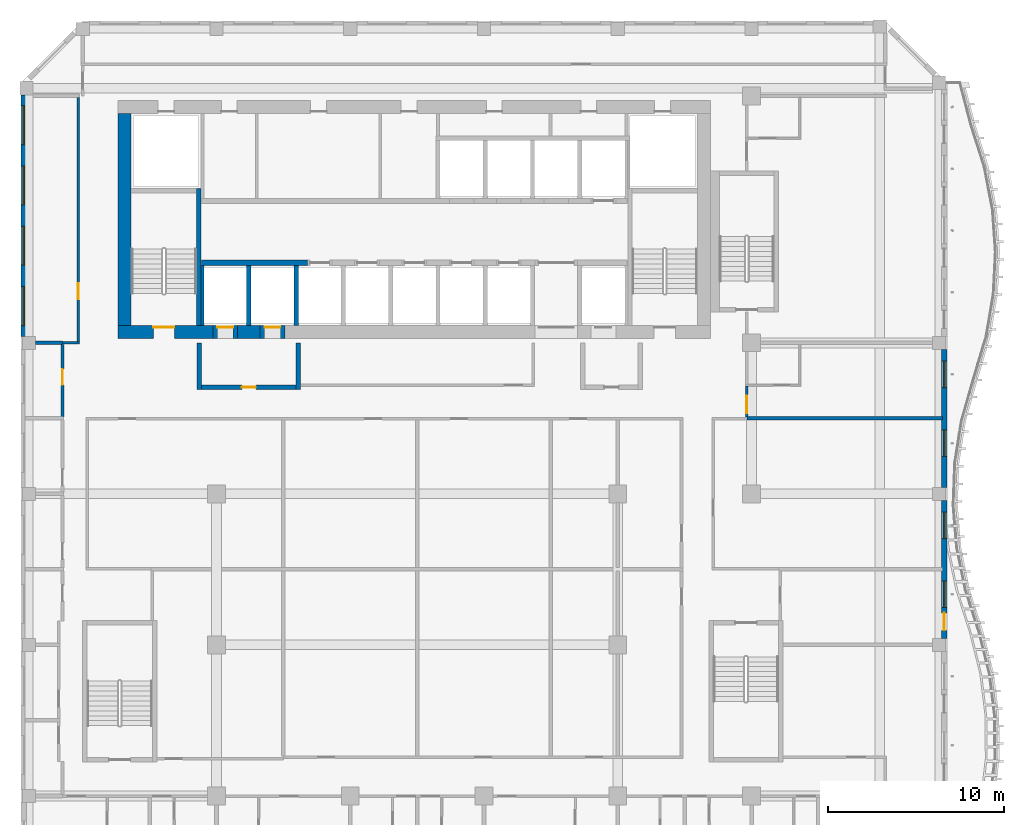
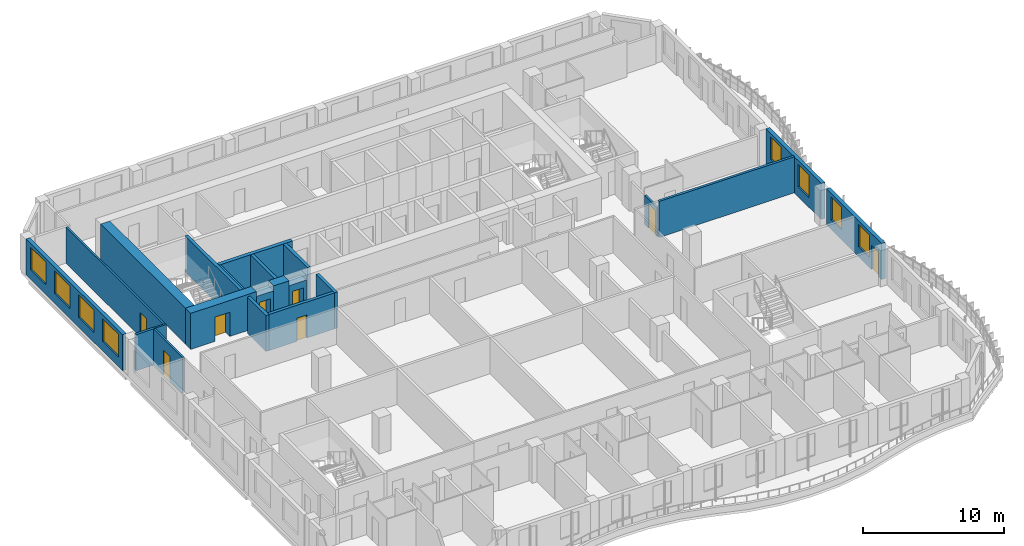
# One storey, part 6 of 21: 22 walls, 8 doors, 8 windows, 16 openings.
"""IFC4 building model written with IfcOpenShell, lengths in metres."""

from ifc_helpers import new_model, si_unit, direction, frame, frame_2d, origin, place, context, subcontext, project, spatial, rectangle, extrude, source, transform, mapped, material, layer, layer_set, type_object, element, fill, save


model = new_model("IFC4")

# Units and contexts
model_context = context("Model", 3, precision=1e-05, world=origin(), true_north=direction((0.0, 1.0)))
body_context = subcontext(model_context, "Body", "Model", "MODEL_VIEW")
ifc_project = project(units=[si_unit("LENGTHUNIT", "METRE"), si_unit("AREAUNIT", "SQUARE_METRE"), si_unit("VOLUMEUNIT", "CUBIC_METRE"), si_unit("PLANEANGLEUNIT", "RADIAN"), si_unit("MASSUNIT", "GRAM", prefix="KILO")], contexts=[model_context])

# Site, building, storey
site_placement = place(None, origin())
site = spatial("IfcSite", under=ifc_project, at=site_placement, CompositionType="ELEMENT")
building_placement = place(site_placement, origin())
building = spatial("IfcBuilding", under=site, at=building_placement, Name="Kilnfold Tower and Market Hall", CompositionType="ELEMENT")
storey_placement = place(building_placement, frame((0.0, 0.0, 216.89990234375)))
storey = spatial("IfcBuildingStorey", under=building, at=storey_placement, Name="L53", CompositionType="ELEMENT", Elevation=216.89990234375)

# Wall
ifc_material_1 = material(Name="Gypsum board on steel studs", Category="steel")
ifc_layer_1 = layer(ifc_material_1, 0.14990234375)
ifc_layer_set_1 = layer_set([ifc_layer_1], Name="Gypsum board on steel studs")
wall_type_1 = type_object("IfcWallType", Name="WALL CORRIDOR 150", PredefinedType="PARTITIONING", material=ifc_layer_set_1)
wall_1_placement = place(storey_placement, frame((-17.925048828125, 8.0, 0.0), z_axis=(0.0, 0.0, 1.0), x_axis=(-1.0, 0.0, 0.0)))
element("IfcWall", 1, at=wall_1_placement, inside=storey, type_object=wall_type_1, Name="Partition LY31.7", PredefinedType="PARTITIONING", context=body_context, shape_type="SweptSolid", body=[
    extrude(rectangle(XDim=0.975830078125, YDim=0.14990234375, at=frame_2d((0.48779296875, 0.0))), origin(), (0.0, 0.0, 1.0), 3.1201171875),
])

# Wall, opening, door
wall_2_placement = place(storey_placement, frame((-18.0, 21.89990234375, 0.0), z_axis=(0.0, 0.0, 1.0), x_axis=(0.0, -1.0, 0.0)))
wall_2 = element("IfcWall", 2, at=wall_2_placement, inside=storey, type_object=wall_type_1, Name="Partition LY31.8", PredefinedType="PARTITIONING", context=body_context, shape_type="SweptSolid", body=[
    extrude(rectangle(XDim=13.824951171875, YDim=0.14990234375, at=frame_2d((6.91259765625, 0.0))), origin(), (0.0, 0.0, 1.0), 3.1201171875),
])
opening_1_placement = place(wall_2_placement, frame((10.52099609375, 0.0, 0.0)))
opening_1 = element("IfcOpeningElement", 3, at=opening_1_placement, cuts=wall_2, Name="Opening D2", PredefinedType="OPENING", context=body_context, shape_type="SweptSolid", body=[
    extrude(rectangle(XDim=0.89990234375, YDim=2.10009765625, at=frame_2d((0.449951171875, 1.050048828125))), frame((0.0, 0.0849609375, 0.0), z_axis=(0.0, -1.0, 0.0), x_axis=(1.0, 0.0, 0.0)), (0.0, 0.0, 1.0), 0.169921875),
])
ifc_material_2 = material(Name="Timber veneer door leaf in steel frame", Category="steel")
door_type_1 = type_object("IfcDoorType", Name="DOOR ROOM 900 X2100", OperationType="NOTDEFINED", PredefinedType="DOOR", material=ifc_material_2)
door_1_placement = place(opening_1_placement, origin())
door_1 = element("IfcDoor", 4, at=door_1_placement, inside=storey, type_object=door_type_1, Name="Door D2", OperationType="SINGLE_SWING_RIGHT", OverallHeight=2.10009765625, OverallWidth=0.89990234375, PredefinedType="DOOR", context=body_context, shape_type="SweptSolid", body=[
    extrude(rectangle(XDim=0.89990234375, YDim=2.10009765625, at=frame_2d((0.449951171875, 1.050048828125))), frame((0.0, 0.02490234375, 0.0), z_axis=(0.0, -1.0, 0.0), x_axis=(1.0, 0.0, 0.0)), (0.0, 0.0, 1.0), 0.050048828125),
])
fill(opening_1, door_1)

wall_3_placement = place(storey_placement, frame((-18.89990234375, 3.80908203125, 0.0), z_axis=(0.0, 0.0, 1.0), x_axis=(0.0, 1.0, 0.0)))
wall_3 = element("IfcWall", 5, at=wall_3_placement, inside=storey, type_object=wall_type_1, Name="Partition LY31.16", PredefinedType="PARTITIONING", context=body_context, shape_type="SweptSolid", body=[
    extrude(rectangle(XDim=4.091796875, YDim=0.14990234375, at=frame_2d((2.0458984375, 0.0))), origin(), (0.0, 0.0, 1.0), 3.1201171875),
])
opening_2_placement = place(wall_3_placement, frame((1.80908203125, 0.0, 0.0)))
opening_2 = element("IfcOpeningElement", 6, at=opening_2_placement, cuts=wall_3, Name="Opening D2", PredefinedType="OPENING", context=body_context, shape_type="SweptSolid", body=[
    extrude(rectangle(XDim=0.89990234375, YDim=2.10009765625, at=frame_2d((0.449951171875, 1.050048828125))), frame((0.0, 0.0849609375, 0.0), z_axis=(0.0, -1.0, 0.0), x_axis=(1.0, 0.0, 0.0)), (0.0, 0.0, 1.0), 0.169921875),
])
door_2_placement = place(opening_2_placement, origin())
door_2 = element("IfcDoor", 7, at=door_2_placement, inside=storey, type_object=door_type_1, Name="Door D2", OperationType="SINGLE_SWING_LEFT", OverallHeight=2.10009765625, OverallWidth=0.89990234375, PredefinedType="DOOR", context=body_context, shape_type="SweptSolid", body=[
    extrude(rectangle(XDim=0.89990234375, YDim=2.10009765625, at=frame_2d((0.449951171875, 1.050048828125))), frame((0.0, 0.02490234375, 0.0), z_axis=(0.0, -1.0, 0.0), x_axis=(1.0, 0.0, 0.0)), (0.0, 0.0, 1.0), 0.050048828125),
])
fill(opening_2, door_2)

wall_4_placement = place(storey_placement, frame((19.89990234375, 3.80908203125, 0.0), z_axis=(0.0, 0.0, 1.0), x_axis=(0.0, 1.0, 0.0)))
wall_4 = element("IfcWall", 8, at=wall_4_placement, inside=storey, type_object=wall_type_1, Name="Partition LY31.18", PredefinedType="PARTITIONING", context=body_context, shape_type="SweptSolid", body=[
    extrude(rectangle(XDim=1.7509765625, YDim=0.14990234375, at=frame_2d((0.87548828125, 0.0))), origin(), (0.0, 0.0, 1.0), 2.52001953125),
])
opening_3_placement = place(wall_4_placement, frame((0.199951171875, 0.0, 0.0)))
opening_3 = element("IfcOpeningElement", 9, at=opening_3_placement, cuts=wall_4, Name="Opening D1", PredefinedType="OPENING", context=body_context, shape_type="SweptSolid", body=[
    extrude(rectangle(XDim=1.0, YDim=2.10009765625, at=frame_2d((0.5, 1.050048828125))), frame((0.0, 0.0849609375, 0.0), z_axis=(0.0, -1.0, 0.0), x_axis=(1.0, 0.0, 0.0)), (0.0, 0.0, 1.0), 0.169921875),
])
ifc_material_3 = material(Name="Timber veneer door leaf in steel frame", Category="steel")
door_type_2 = type_object("IfcDoorType", Name="DOOR ENTRY 1000 X2100", OperationType="NOTDEFINED", PredefinedType="DOOR", material=ifc_material_3)
door_3_placement = place(opening_3_placement, origin())
door_3 = element("IfcDoor", 10, at=door_3_placement, inside=storey, type_object=door_type_2, Name="Door D1", OperationType="SINGLE_SWING_LEFT", OverallHeight=2.10009765625, OverallWidth=1.0, PredefinedType="DOOR", context=body_context, shape_type="SweptSolid", body=[
    extrude(rectangle(XDim=1.0, YDim=2.10009765625, at=frame_2d((0.5, 1.050048828125))), frame((0.0, 0.02490234375, 0.0), z_axis=(0.0, -1.0, 0.0), x_axis=(1.0, 0.0, 0.0)), (0.0, 0.0, 1.0), 0.050048828125),
])
fill(opening_3, door_3)

# Walls
ifc_material_4 = material(Name="Gypsum board on steel studs", Category="steel")
ifc_layer_2 = layer(ifc_material_4, 0.199951171875)
ifc_layer_set_2 = layer_set([ifc_layer_2], Name="Gypsum board on steel studs")
wall_type_2 = type_object("IfcWallType", Name="WALL PARTY 200", PredefinedType="PARTITIONING", material=ifc_layer_set_2)
wall_5_placement = place(storey_placement, frame((-20.425048828125, 8.0, 0.0), z_axis=(0.0, 0.0, 1.0), x_axis=(0.999999794741, 0.000640717472, 0.0)))
element("IfcWall", 11, at=wall_5_placement, inside=storey, type_object=wall_type_2, Name="Partition LY31.77", PredefinedType="PARTITIONING", context=body_context, shape_type="SweptSolid", body=[
    extrude(rectangle(XDim=1.524169921875, YDim=0.199951171875, at=frame_2d((0.76220703125, 0.0))), origin(), (0.0, 0.0, 1.0), 3.1201171875),
])
wall_6_placement = place(storey_placement, frame((19.902099609375, 3.718994140625, 0.0), z_axis=(0.0, 0.0, 1.0), x_axis=(1.0, 0.0, 0.0)))
element("IfcWall", 12, at=wall_6_placement, inside=storey, type_object=wall_type_2, Name="Partition LY31.87", PredefinedType="PARTITIONING", context=body_context, shape_type="SweptSolid", body=[
    extrude(rectangle(XDim=11.097900390625, YDim=0.199951171875, at=frame_2d((5.548828125, 0.0))), origin(), (0.0, 0.0, 1.0), 3.1201171875),
])
ifc_material_5 = material(Name="Concrete C60", Category="concrete")
ifc_layer_3 = layer(ifc_material_5, 0.25)
ifc_layer_set_3 = layer_set([ifc_layer_3], Name="Concrete C60")
wall_type_3 = type_object("IfcWallType", Name="CORE WALL 250 C60", PredefinedType="SHEAR", material=ifc_layer_set_3)
shared_shape_1 = source(origin(), body_context, "Body", "SweptSolid", [
    extrude(rectangle(XDim=7.75, YDim=0.25, at=frame_2d((3.875, 0.0))), origin(), (0.0, 0.0, 1.0), 3.1201171875),
])
wall_7_placement = place(storey_placement, frame((-11.175048828125, 9.0, 0.0), z_axis=(0.0, 0.0, 1.0), x_axis=(0.0, 1.0, 0.0)))
element("IfcWall", 13, at=wall_7_placement, inside=storey, type_object=wall_type_3, Name="Stair enclosure ST1", PredefinedType="SHEAR", context=body_context, shape_type="MappedRepresentation", body=[
    mapped(shared_shape_1, transform((0.0, 0.0, 0.0))),
])
ifc_material_6 = material(Name="Concrete C60", Category="concrete")
ifc_layer_4 = layer(ifc_material_6, 0.300048828125)
ifc_layer_set_4 = layer_set([ifc_layer_4], Name="Concrete C60")
wall_type_4 = type_object("IfcWallType", Name="CORE WALL 300 C60", PredefinedType="SHEAR", material=ifc_layer_set_4)
shared_shape_2 = source(origin(), body_context, "Body", "SweptSolid", [
    extrude(rectangle(XDim=6.0, YDim=0.300048828125, at=frame_2d((3.0, 0.0))), origin(), (0.0, 0.0, 1.0), 3.1201171875),
])
wall_8_placement = place(storey_placement, frame((-11.010009765625, 12.550048828125, 0.0), z_axis=(0.0, 0.0, 1.0), x_axis=(1.0, 0.0, 0.0)))
element("IfcWall", 14, at=wall_8_placement, inside=storey, type_object=wall_type_4, Name="Core spine wall", PredefinedType="SHEAR", context=body_context, shape_type="MappedRepresentation", body=[
    mapped(shared_shape_2, transform((0.0, 0.0, 0.0))),
])

# Wall, opening, door
ifc_material_7 = material(Name="Concrete C60", Category="concrete")
ifc_layer_5 = layer(ifc_material_7, 0.75)
ifc_layer_set_5 = layer_set([ifc_layer_5], Name="Concrete C60")
wall_type_5 = type_object("IfcWallType", Name="CORE WALL 750 C60", PredefinedType="SHEAR", material=ifc_layer_set_5)
shared_shape_3 = source(origin(), body_context, "Body", "SweptSolid", [
    extrude(rectangle(XDim=5.3798828125, YDim=0.75, at=frame_2d((2.68994140625, 0.0))), origin(), (0.0, 0.0, 1.0), 3.1201171875),
])
wall_9_placement = place(storey_placement, frame((-15.75, 8.625, 0.0), z_axis=(0.0, 0.0, 1.0), x_axis=(1.0, 0.0, 0.0)))
wall_9 = element("IfcWall", 15, at=wall_9_placement, inside=storey, type_object=wall_type_5, Name="Core outer wall south", PredefinedType="SHEAR", context=body_context, shape_type="MappedRepresentation", body=[
    mapped(shared_shape_3, transform((0.0, 0.0, 0.0))),
])
opening_4_placement = place(wall_9_placement, frame((2.0, 0.0, 0.0)))
opening_4 = element("IfcOpeningElement", 16, at=opening_4_placement, cuts=wall_9, Name="Opening SD1", PredefinedType="OPENING", context=body_context, shape_type="SweptSolid", body=[
    extrude(rectangle(XDim=1.199951171875, YDim=2.10009765625, at=frame_2d((0.60009765625, 1.050048828125))), frame((0.0, 0.385009765625, 0.0), z_axis=(0.0, -1.0, 0.0), x_axis=(1.0, 0.0, 0.0)), (0.0, 0.0, 1.0), 0.77001953125),
])
ifc_material_8 = material(Name="Steel door set with fire-resisting leaf", Category="steel")
door_type_3 = type_object("IfcDoorType", Name="STAIR FLOOR DOOR 1200X2100", OperationType="NOTDEFINED", PredefinedType="DOOR", material=ifc_material_8)
door_4_placement = place(opening_4_placement, origin())
door_4 = element("IfcDoor", 17, at=door_4_placement, inside=storey, type_object=door_type_3, Name="Exit stair ST1 door", OperationType="DOUBLE_DOOR_SINGLE_SWING", OverallHeight=2.10009765625, OverallWidth=1.199951171875, PredefinedType="DOOR", context=body_context, shape_type="SweptSolid", body=[
    extrude(rectangle(XDim=1.199951171875, YDim=2.10009765625, at=frame_2d((0.60009765625, 1.050048828125))), frame((0.0, 0.27978515625, 0.0), z_axis=(0.0, -1.0, 0.0), x_axis=(1.0, 0.0, 0.0)), (0.0, 0.0, 1.0), 0.050048828125),
])
fill(opening_4, door_4)

# Walls
shared_shape_4 = source(origin(), body_context, "Body", "SweptSolid", [
    extrude(rectangle(XDim=1.280029296875, YDim=0.75, at=frame_2d((0.64013671875, 0.0))), origin(), (0.0, 0.0, 1.0), 3.1201171875),
])
wall_10_placement = place(storey_placement, frame((-8.969970703125, 8.625, 0.0), z_axis=(0.0, 0.0, 1.0), x_axis=(1.0, 0.0, 0.0)))
element("IfcWall", 18, at=wall_10_placement, inside=storey, type_object=wall_type_5, Name="Core outer wall south", PredefinedType="SHEAR", context=body_context, shape_type="MappedRepresentation", body=[
    mapped(shared_shape_4, transform((0.0, 0.0, 0.0))),
])
shared_shape_5 = source(origin(), body_context, "Body", "SweptSolid", [
    extrude(rectangle(XDim=12.0, YDim=0.75, at=frame_2d((6.0, 0.0))), origin(), (0.0, 0.0, 1.0), 3.1201171875),
])
wall_11_placement = place(storey_placement, frame((-15.375, 9.0, 0.0), z_axis=(0.0, 0.0, 1.0), x_axis=(0.0, 1.0, 0.0)))
element("IfcWall", 19, at=wall_11_placement, inside=storey, type_object=wall_type_5, Name="Core outer wall west", PredefinedType="SHEAR", context=body_context, shape_type="MappedRepresentation", body=[
    mapped(shared_shape_5, transform((0.0, 0.0, 0.0))),
])

# Wall, openings, door, windows
ifc_material_9 = material(Name="Precast concrete C50/60", Category="concrete")
ifc_layer_6 = layer(ifc_material_9, 0.300048828125)
ifc_layer_set_6 = layer_set([ifc_layer_6], Name="Precast concrete C50/60")
wall_type_6 = type_object("IfcWallType", Name="PRECAST WALL 300", PredefinedType="SOLIDWALL", material=ifc_layer_set_6)
shared_shape_6 = source(origin(), body_context, "Body", "SweptSolid", [
    extrude(rectangle(XDim=7.8125, YDim=0.300048828125, at=frame_2d((3.90625, 0.0))), origin(), (0.0, 0.0, 1.0), 3.1201171875),
])
wall_12_placement = place(storey_placement, frame((31.10009765625, -8.75, 0.0), z_axis=(0.0, 0.0, 1.0), x_axis=(0.0, 1.0, 0.0)))
wall_12 = element("IfcWall", 20, at=wall_12_placement, inside=storey, type_object=wall_type_6, Name="External wall L53 E", PredefinedType="SOLIDWALL", context=body_context, shape_type="MappedRepresentation", body=[
    mapped(shared_shape_6, transform((0.0, 0.0, 0.0))),
])
opening_5_placement = place(wall_12_placement, frame((1.75, 0.0, 0.85009765625)))
opening_5 = element("IfcOpeningElement", 21, at=opening_5_placement, cuts=wall_12, Name="Opening W4", PredefinedType="OPENING", context=body_context, shape_type="SweptSolid", body=[
    extrude(rectangle(XDim=1.5, YDim=1.949951171875, at=frame_2d((0.75, 0.97509765625))), frame((0.0, 0.16015625, 0.0), z_axis=(0.0, -1.0, 0.0), x_axis=(1.0, 0.0, 0.0)), (0.0, 0.0, 1.0), 0.320068359375),
])
opening_6_placement = place(wall_12_placement, frame((0.449951171875, 0.0, 0.0)))
opening_6 = element("IfcOpeningElement", 22, at=opening_6_placement, cuts=wall_12, Name="Opening BD1", PredefinedType="OPENING", context=body_context, shape_type="SweptSolid", body=[
    extrude(rectangle(XDim=1.0, YDim=2.10009765625, at=frame_2d((0.5, 1.050048828125))), frame((0.0, 0.16015625, 0.0), z_axis=(0.0, -1.0, 0.0), x_axis=(1.0, 0.0, 0.0)), (0.0, 0.0, 1.0), 0.320068359375),
])
opening_7_placement = place(wall_12_placement, frame((5.65625, 0.0, 0.85009765625)))
opening_7 = element("IfcOpeningElement", 23, at=opening_7_placement, cuts=wall_12, Name="Opening W4", PredefinedType="OPENING", context=body_context, shape_type="SweptSolid", body=[
    extrude(rectangle(XDim=1.5, YDim=1.949951171875, at=frame_2d((0.75, 0.97509765625))), frame((0.0, 0.16015625, 0.0), z_axis=(0.0, -1.0, 0.0), x_axis=(1.0, 0.0, 0.0)), (0.0, 0.0, 1.0), 0.320068359375),
])
ifc_material_10 = material(Name="Aluminium frame and double glazing", Category="aluminium")
door_type_4 = type_object("IfcDoorType", Name="BALCONY DOOR 1000X2100", OperationType="NOTDEFINED", PredefinedType="DOOR", material=ifc_material_10)
door_5_placement = place(opening_6_placement, origin())
door_5 = element("IfcDoor", 24, at=door_5_placement, inside=storey, type_object=door_type_4, Name="Balcony door BD1 L53 E-1", OperationType="SINGLE_SWING_LEFT", OverallHeight=2.10009765625, OverallWidth=1.0, PredefinedType="DOOR", context=body_context, shape_type="SweptSolid", body=[
    extrude(rectangle(XDim=1.0, YDim=2.10009765625, at=frame_2d((0.5, 1.050048828125))), frame((0.0, 0.02490234375, 0.0), z_axis=(0.0, -1.0, 0.0), x_axis=(1.0, 0.0, 0.0)), (0.0, 0.0, 1.0), 0.050048828125),
])
fill(opening_6, door_5)
ifc_material_11 = material(Name="Aluminium frame and double glazing", Category="aluminium")
window_type_1 = type_object("IfcWindowType", Name="WINDOW W4 1500X1950", PartitioningType="SINGLE_PANEL", PredefinedType="WINDOW", material=ifc_material_11)
window_1_placement = place(opening_5_placement, origin())
window_1 = element("IfcWindow", 25, at=window_1_placement, inside=storey, type_object=window_type_1, Name="Window W4 L53 E-1", OverallHeight=1.949951171875, OverallWidth=1.5, PartitioningType="SINGLE_PANEL", PredefinedType="WINDOW", context=body_context, shape_type="SweptSolid", body=[
    extrude(rectangle(XDim=1.5, YDim=1.949951171875, at=frame_2d((0.75, 0.97509765625))), frame((0.0, 0.030029296875, 0.0), z_axis=(0.0, -1.0, 0.0), x_axis=(1.0, 0.0, 0.0)), (0.0, 0.0, 1.0), 0.06005859375),
])
fill(opening_5, window_1)
window_2_placement = place(opening_7_placement, origin())
window_2 = element("IfcWindow", 26, at=window_2_placement, inside=storey, type_object=window_type_1, Name="Window W4 L53 E-2", OverallHeight=1.949951171875, OverallWidth=1.5, PartitioningType="SINGLE_PANEL", PredefinedType="WINDOW", context=body_context, shape_type="SweptSolid", body=[
    extrude(rectangle(XDim=1.5, YDim=1.949951171875, at=frame_2d((0.75, 0.97509765625))), frame((0.0, 0.030029296875, 0.0), z_axis=(0.0, -1.0, 0.0), x_axis=(1.0, 0.0, 0.0)), (0.0, 0.0, 1.0), 0.06005859375),
])
fill(opening_7, window_2)

# Wall, openings, windows
wall_13_placement = place(storey_placement, frame((31.10009765625, -0.1875, 0.0), z_axis=(0.0, 0.0, 1.0), x_axis=(0.0, 1.0, 0.0)))
wall_13 = element("IfcWall", 27, at=wall_13_placement, inside=storey, type_object=wall_type_6, Name="External wall L53 E", PredefinedType="SOLIDWALL", context=body_context, shape_type="MappedRepresentation", body=[
    mapped(shared_shape_6, transform((0.0, 0.0, 0.0))),
])
opening_8_placement = place(wall_13_placement, frame((1.75, 0.0, 0.85009765625)))
opening_8 = element("IfcOpeningElement", 28, at=opening_8_placement, cuts=wall_13, Name="Opening W4", PredefinedType="OPENING", context=body_context, shape_type="SweptSolid", body=[
    extrude(rectangle(XDim=1.5, YDim=1.949951171875, at=frame_2d((0.75, 0.97509765625))), frame((0.0, 0.16015625, 0.0), z_axis=(0.0, -1.0, 0.0), x_axis=(1.0, 0.0, 0.0)), (0.0, 0.0, 1.0), 0.320068359375),
])
opening_9_placement = place(wall_13_placement, frame((5.65625, 0.0, 0.85009765625)))
opening_9 = element("IfcOpeningElement", 29, at=opening_9_placement, cuts=wall_13, Name="Opening W4", PredefinedType="OPENING", context=body_context, shape_type="SweptSolid", body=[
    extrude(rectangle(XDim=1.5, YDim=1.949951171875, at=frame_2d((0.75, 0.97509765625))), frame((0.0, 0.16015625, 0.0), z_axis=(0.0, -1.0, 0.0), x_axis=(1.0, 0.0, 0.0)), (0.0, 0.0, 1.0), 0.320068359375),
])
window_3_placement = place(opening_8_placement, origin())
window_3 = element("IfcWindow", 30, at=window_3_placement, inside=storey, type_object=window_type_1, Name="Window W4 L53 E-1", OverallHeight=1.949951171875, OverallWidth=1.5, PartitioningType="SINGLE_PANEL", PredefinedType="WINDOW", context=body_context, shape_type="SweptSolid", body=[
    extrude(rectangle(XDim=1.5, YDim=1.949951171875, at=frame_2d((0.75, 0.97509765625))), frame((0.0, 0.030029296875, 0.0), z_axis=(0.0, -1.0, 0.0), x_axis=(1.0, 0.0, 0.0)), (0.0, 0.0, 1.0), 0.06005859375),
])
fill(opening_8, window_3)
window_4_placement = place(opening_9_placement, origin())
window_4 = element("IfcWindow", 31, at=window_4_placement, inside=storey, type_object=window_type_1, Name="Window W4 L53 E-2", OverallHeight=1.949951171875, OverallWidth=1.5, PartitioningType="SINGLE_PANEL", PredefinedType="WINDOW", context=body_context, shape_type="SweptSolid", body=[
    extrude(rectangle(XDim=1.5, YDim=1.949951171875, at=frame_2d((0.75, 0.97509765625))), frame((0.0, 0.030029296875, 0.0), z_axis=(0.0, -1.0, 0.0), x_axis=(1.0, 0.0, 0.0)), (0.0, 0.0, 1.0), 0.06005859375),
])
fill(opening_9, window_4)

shared_shape_7 = source(origin(), body_context, "Body", "SweptSolid", [
    extrude(rectangle(XDim=13.681884765625, YDim=0.300048828125, at=frame_2d((6.8408203125, 0.0))), origin(), (0.0, 0.0, 1.0), 3.1201171875),
])
wall_14_placement = place(storey_placement, frame((-21.10009765625, 22.056884765625, 0.0), z_axis=(0.0, 0.0, 1.0), x_axis=(0.0, -1.0, 0.0)))
wall_14 = element("IfcWall", 32, at=wall_14_placement, inside=storey, type_object=wall_type_6, Name="External wall L53 W", PredefinedType="SOLIDWALL", context=body_context, shape_type="MappedRepresentation", body=[
    mapped(shared_shape_7, transform((0.0, 0.0, 0.0))),
])
opening_10_placement = place(wall_14_placement, frame((0.610107421875, 0.0, 0.85009765625)))
opening_10 = element("IfcOpeningElement", 33, at=opening_10_placement, cuts=wall_14, Name="Opening W2", PredefinedType="OPENING", context=body_context, shape_type="SweptSolid", body=[
    extrude(rectangle(XDim=2.199951171875, YDim=1.949951171875, at=frame_2d((1.10009765625, 0.97509765625))), frame((0.0, 0.16015625, 0.0), z_axis=(0.0, -1.0, 0.0), x_axis=(1.0, 0.0, 0.0)), (0.0, 0.0, 1.0), 0.320068359375),
])
opening_11_placement = place(wall_14_placement, frame((4.030517578125, 0.0, 0.85009765625)))
opening_11 = element("IfcOpeningElement", 34, at=opening_11_placement, cuts=wall_14, Name="Opening W2", PredefinedType="OPENING", context=body_context, shape_type="SweptSolid", body=[
    extrude(rectangle(XDim=2.199951171875, YDim=1.949951171875, at=frame_2d((1.10009765625, 0.97509765625))), frame((0.0, 0.16015625, 0.0), z_axis=(0.0, -1.0, 0.0), x_axis=(1.0, 0.0, 0.0)), (0.0, 0.0, 1.0), 0.320068359375),
])
opening_12_placement = place(wall_14_placement, frame((7.451171875, 0.0, 0.85009765625)))
opening_12 = element("IfcOpeningElement", 35, at=opening_12_placement, cuts=wall_14, Name="Opening W2", PredefinedType="OPENING", context=body_context, shape_type="SweptSolid", body=[
    extrude(rectangle(XDim=2.199951171875, YDim=1.949951171875, at=frame_2d((1.10009765625, 0.97509765625))), frame((0.0, 0.16015625, 0.0), z_axis=(0.0, -1.0, 0.0), x_axis=(1.0, 0.0, 0.0)), (0.0, 0.0, 1.0), 0.320068359375),
])
opening_13_placement = place(wall_14_placement, frame((10.87158203125, 0.0, 0.85009765625)))
opening_13 = element("IfcOpeningElement", 36, at=opening_13_placement, cuts=wall_14, Name="Opening W2", PredefinedType="OPENING", context=body_context, shape_type="SweptSolid", body=[
    extrude(rectangle(XDim=2.199951171875, YDim=1.949951171875, at=frame_2d((1.10009765625, 0.97509765625))), frame((0.0, 0.16015625, 0.0), z_axis=(0.0, -1.0, 0.0), x_axis=(1.0, 0.0, 0.0)), (0.0, 0.0, 1.0), 0.320068359375),
])
ifc_material_12 = material(Name="Aluminium frame and double glazing", Category="aluminium")
window_type_2 = type_object("IfcWindowType", Name="WINDOW W2 2200X1950", PartitioningType="SINGLE_PANEL", PredefinedType="WINDOW", material=ifc_material_12)
window_5_placement = place(opening_10_placement, origin())
window_5 = element("IfcWindow", 37, at=window_5_placement, inside=storey, type_object=window_type_2, Name="Window W2 L53 W-1", OverallHeight=1.949951171875, OverallWidth=2.199951171875, PartitioningType="SINGLE_PANEL", PredefinedType="WINDOW", context=body_context, shape_type="SweptSolid", body=[
    extrude(rectangle(XDim=2.199951171875, YDim=1.949951171875, at=frame_2d((1.10009765625, 0.97509765625))), frame((0.0, 0.030029296875, 0.0), z_axis=(0.0, -1.0, 0.0), x_axis=(1.0, 0.0, 0.0)), (0.0, 0.0, 1.0), 0.06005859375),
])
fill(opening_10, window_5)
window_6_placement = place(opening_11_placement, origin())
window_6 = element("IfcWindow", 38, at=window_6_placement, inside=storey, type_object=window_type_2, Name="Window W2 L53 W-2", OverallHeight=1.949951171875, OverallWidth=2.199951171875, PartitioningType="SINGLE_PANEL", PredefinedType="WINDOW", context=body_context, shape_type="SweptSolid", body=[
    extrude(rectangle(XDim=2.199951171875, YDim=1.949951171875, at=frame_2d((1.10009765625, 0.97509765625))), frame((0.0, 0.030029296875, 0.0), z_axis=(0.0, -1.0, 0.0), x_axis=(1.0, 0.0, 0.0)), (0.0, 0.0, 1.0), 0.06005859375),
])
fill(opening_11, window_6)
window_7_placement = place(opening_12_placement, origin())
window_7 = element("IfcWindow", 39, at=window_7_placement, inside=storey, type_object=window_type_2, Name="Window W2 L53 W-3", OverallHeight=1.949951171875, OverallWidth=2.199951171875, PartitioningType="SINGLE_PANEL", PredefinedType="WINDOW", context=body_context, shape_type="SweptSolid", body=[
    extrude(rectangle(XDim=2.199951171875, YDim=1.949951171875, at=frame_2d((1.10009765625, 0.97509765625))), frame((0.0, 0.030029296875, 0.0), z_axis=(0.0, -1.0, 0.0), x_axis=(1.0, 0.0, 0.0)), (0.0, 0.0, 1.0), 0.06005859375),
])
fill(opening_12, window_7)
window_8_placement = place(opening_13_placement, origin())
window_8 = element("IfcWindow", 40, at=window_8_placement, inside=storey, type_object=window_type_2, Name="Window W2 L53 W-4", OverallHeight=1.949951171875, OverallWidth=2.199951171875, PartitioningType="SINGLE_PANEL", PredefinedType="WINDOW", context=body_context, shape_type="SweptSolid", body=[
    extrude(rectangle(XDim=2.199951171875, YDim=1.949951171875, at=frame_2d((1.10009765625, 0.97509765625))), frame((0.0, 0.030029296875, 0.0), z_axis=(0.0, -1.0, 0.0), x_axis=(1.0, 0.0, 0.0)), (0.0, 0.0, 1.0), 0.06005859375),
])
fill(opening_13, window_8)

# Walls
ifc_material_13 = material(Name="Gypsum shaft wall system")
ifc_layer_7 = layer(ifc_material_13, 0.25)
ifc_layer_set_7 = layer_set([ifc_layer_7], Name="Gypsum shaft wall system")
wall_type_7 = type_object("IfcWallType", Name="LOBBY WALL 250", PredefinedType="PARTITIONING", material=ifc_layer_set_7)
shared_shape_8 = source(origin(), body_context, "Body", "SweptSolid", [
    extrude(rectangle(XDim=2.64990234375, YDim=0.25, at=frame_2d((1.324951171875, 0.0))), origin(), (0.0, 0.0, 1.0), 3.1201171875),
])
for number, where, z_axis, x_axis, name in (
    (41, (-11.135009765625, 5.35009765625, 0.0), (0.0, 0.0, 1.0), (0.0, 1.0, 0.0), "Firefighting lobby wall"),
    (42, (-5.52490234375, 5.35009765625, 0.0), (0.0, 0.0, 1.0), (0.0, 1.0, 0.0), "Firefighting lobby wall"),
):
    element("IfcWall", number, at=place(storey_placement, frame(where, z_axis=z_axis, x_axis=x_axis)), inside=storey, type_object=wall_type_7, Name=name, PredefinedType="PARTITIONING", context=body_context, shape_type="MappedRepresentation", body=[
        mapped(shared_shape_8, transform((0.0, 0.0, 0.0))),
    ])

# Wall, opening, door
shared_shape_9 = source(origin(), body_context, "Body", "SweptSolid", [
    extrude(rectangle(XDim=5.360107421875, YDim=0.25, at=frame_2d((2.68017578125, 0.0))), origin(), (0.0, 0.0, 1.0), 3.1201171875),
])
wall_15_placement = place(storey_placement, frame((-11.010009765625, 5.47509765625, 0.0), z_axis=(0.0, 0.0, 1.0), x_axis=(1.0, 0.0, 0.0)))
wall_15 = element("IfcWall", 43, at=wall_15_placement, inside=storey, type_object=wall_type_7, Name="Firefighting lobby wall", PredefinedType="PARTITIONING", context=body_context, shape_type="MappedRepresentation", body=[
    mapped(shared_shape_9, transform((0.0, 0.0, 0.0))),
])
opening_14_placement = place(wall_15_placement, frame((2.280029296875, 0.0, 0.0)))
opening_14 = element("IfcOpeningElement", 44, at=opening_14_placement, cuts=wall_15, Name="Opening VD1", PredefinedType="OPENING", context=body_context, shape_type="SweptSolid", body=[
    extrude(rectangle(XDim=0.800048828125, YDim=2.0, at=frame_2d((0.39990234375, 1.0))), frame((0.0, 0.135009765625, 0.0), z_axis=(0.0, -1.0, 0.0), x_axis=(1.0, 0.0, 0.0)), (0.0, 0.0, 1.0), 0.27001953125),
])
ifc_material_14 = material(Name="Steel door set with fire-resisting leaf", Category="steel")
door_type_5 = type_object("IfcDoorType", Name="FIREFIGHTING LOBBY DOOR 800X2000", OperationType="NOTDEFINED", PredefinedType="DOOR", material=ifc_material_14)
door_6_placement = place(opening_14_placement, origin())
door_6 = element("IfcDoor", 45, at=door_6_placement, inside=storey, type_object=door_type_5, Name="Firefighting lobby door", OperationType="SINGLE_SWING_LEFT", OverallHeight=2.0, OverallWidth=0.800048828125, PredefinedType="DOOR", context=body_context, shape_type="SweptSolid", body=[
    extrude(rectangle(XDim=0.800048828125, YDim=2.0, at=frame_2d((0.39990234375, 1.0))), frame((0.0, 0.02490234375, 0.0), z_axis=(0.0, -1.0, 0.0), x_axis=(1.0, 0.0, 0.0)), (0.0, 0.0, 1.0), 0.050048828125),
])
fill(opening_14, door_6)

# Walls
ifc_material_15 = material(Name="Gypsum shaft wall system")
ifc_layer_8 = layer(ifc_material_15, 0.25)
ifc_layer_set_8 = layer_set([ifc_layer_8], Name="Gypsum shaft wall system")
wall_type_8 = type_object("IfcWallType", Name="SHAFT WALL 250", PredefinedType="PARTITIONING", material=ifc_layer_set_8)
shared_shape_10 = source(origin(), body_context, "Body", "SweptSolid", [
    extrude(rectangle(XDim=3.39990234375, YDim=0.25, at=frame_2d((1.699951171875, 0.0))), origin(), (0.0, 0.0, 1.0), 3.1201171875),
])
for number, where, z_axis, x_axis, name in (
    (46, (-5.64990234375, 9.0, 0.0), (0.0, 0.0, 1.0), (0.0, 1.0, 0.0), "Lift shaft wall"),
    (47, (-8.330078125, 9.0, 0.0), (0.0, 0.0, 1.0), (0.0, 1.0, 0.0), "Lift shaft wall"),
):
    element("IfcWall", number, at=place(storey_placement, frame(where, z_axis=z_axis, x_axis=x_axis)), inside=storey, type_object=wall_type_8, Name=name, PredefinedType="PARTITIONING", context=body_context, shape_type="MappedRepresentation", body=[
        mapped(shared_shape_10, transform((0.0, 0.0, 0.0))),
    ])
ifc_material_16 = material(Name="Gypsum shaft wall system")
ifc_layer_9 = layer(ifc_material_16, 0.1650390625)
ifc_layer_set_9 = layer_set([ifc_layer_9], Name="Gypsum shaft wall system")
wall_type_9 = type_object("IfcWallType", Name="SHAFT WALL 165", PredefinedType="PARTITIONING", material=ifc_layer_set_9)
shared_shape_11 = source(origin(), body_context, "Body", "SweptSolid", [
    extrude(rectangle(XDim=3.39990234375, YDim=0.1650390625, at=frame_2d((1.699951171875, 0.0))), origin(), (0.0, 0.0, 1.0), 3.1201171875),
])
wall_16_placement = place(storey_placement, frame((-10.967529296875, 9.0, 0.0), z_axis=(0.0, 0.0, 1.0), x_axis=(0.0, 1.0, 0.0)))
element("IfcWall", 48, at=wall_16_placement, inside=storey, type_object=wall_type_9, Name="Lift shaft wall", PredefinedType="PARTITIONING", context=body_context, shape_type="MappedRepresentation", body=[
    mapped(shared_shape_11, transform((0.0, 0.0, 0.0))),
])

# Wall, opening, door
ifc_material_17 = material(Name="Gypsum shaft wall system")
ifc_layer_10 = layer(ifc_material_17, 0.75)
ifc_layer_set_10 = layer_set([ifc_layer_10], Name="Gypsum shaft wall system")
wall_type_10 = type_object("IfcWallType", Name="LOBBY WALL 750", PredefinedType="PARTITIONING", material=ifc_layer_set_10)
shared_shape_12 = source(origin(), body_context, "Body", "SweptSolid", [
    extrude(rectangle(XDim=1.400146484375, YDim=0.75, at=frame_2d((0.7001953125, 0.0))), origin(), (0.0, 0.0, 1.0), 2.7001953125),
])
wall_17_placement = place(storey_placement, frame((-10.3701171875, 8.625, 0.0), z_axis=(0.0, 0.0, 1.0), x_axis=(1.0, 0.0, 0.0)))
wall_17 = element("IfcWall", 49, at=wall_17_placement, inside=storey, type_object=wall_type_10, Name="Core wall infill", PredefinedType="PARTITIONING", context=body_context, shape_type="MappedRepresentation", body=[
    mapped(shared_shape_12, transform((0.0, 0.0, 0.0))),
])
opening_15_placement = place(wall_17_placement, frame((0.25, 0.0, 0.0)))
opening_15 = element("IfcOpeningElement", 50, at=opening_15_placement, cuts=wall_17, Name="Opening LD1", PredefinedType="OPENING", context=body_context, shape_type="SweptSolid", body=[
    extrude(rectangle(XDim=0.89990234375, YDim=2.10009765625, at=frame_2d((0.449951171875, 1.050048828125))), frame((0.0, 0.385009765625, 0.0), z_axis=(0.0, -1.0, 0.0), x_axis=(1.0, 0.0, 0.0)), (0.0, 0.0, 1.0), 0.77001953125),
])
ifc_material_18 = material(Name="Steel door set with fire-resisting leaf", Category="steel")
door_type_6 = type_object("IfcDoorType", Name="FIREFIGHTING LANDING DOOR 900X2100", OperationType="NOTDEFINED", PredefinedType="DOOR", material=ifc_material_18)
door_7_placement = place(opening_15_placement, origin())
door_7 = element("IfcDoor", 51, at=door_7_placement, inside=storey, type_object=door_type_6, Name="Landing door FF1", OperationType="SLIDING_TO_LEFT", OverallHeight=2.10009765625, OverallWidth=0.89990234375, PredefinedType="DOOR", context=body_context, shape_type="SweptSolid", body=[
    extrude(rectangle(XDim=0.89990234375, YDim=2.10009765625, at=frame_2d((0.449951171875, 1.050048828125))), frame((0.0, 0.27978515625, 0.0), z_axis=(0.0, -1.0, 0.0), x_axis=(1.0, 0.0, 0.0)), (0.0, 0.0, 1.0), 0.050048828125),
])
fill(opening_15, door_7)

shared_shape_13 = source(origin(), body_context, "Body", "SweptSolid", [
    extrude(rectangle(XDim=1.39990234375, YDim=0.75, at=frame_2d((0.699951171875, 0.0))), origin(), (0.0, 0.0, 1.0), 2.7001953125),
])
wall_18_placement = place(storey_placement, frame((-7.68994140625, 8.625, 0.0), z_axis=(0.0, 0.0, 1.0), x_axis=(1.0, 0.0, 0.0)))
wall_18 = element("IfcWall", 52, at=wall_18_placement, inside=storey, type_object=wall_type_10, Name="Core wall infill", PredefinedType="PARTITIONING", context=body_context, shape_type="MappedRepresentation", body=[
    mapped(shared_shape_13, transform((0.0, 0.0, 0.0))),
])
opening_16_placement = place(wall_18_placement, frame((0.25, 0.0, 0.0)))
opening_16 = element("IfcOpeningElement", 53, at=opening_16_placement, cuts=wall_18, Name="Opening LD1", PredefinedType="OPENING", context=body_context, shape_type="SweptSolid", body=[
    extrude(rectangle(XDim=0.89990234375, YDim=2.10009765625, at=frame_2d((0.449951171875, 1.050048828125))), frame((0.0, 0.385009765625, 0.0), z_axis=(0.0, -1.0, 0.0), x_axis=(1.0, 0.0, 0.0)), (0.0, 0.0, 1.0), 0.77001953125),
])
door_8_placement = place(opening_16_placement, origin())
door_8 = element("IfcDoor", 54, at=door_8_placement, inside=storey, type_object=door_type_6, Name="Landing door FF2", OperationType="SLIDING_TO_RIGHT", OverallHeight=2.10009765625, OverallWidth=0.89990234375, PredefinedType="DOOR", context=body_context, shape_type="SweptSolid", body=[
    extrude(rectangle(XDim=0.89990234375, YDim=2.10009765625, at=frame_2d((0.449951171875, 1.050048828125))), frame((0.0, 0.27978515625, 0.0), z_axis=(0.0, -1.0, 0.0), x_axis=(1.0, 0.0, 0.0)), (0.0, 0.0, 1.0), 0.050048828125),
])
fill(opening_16, door_8)

save(model, "model.ifc")
